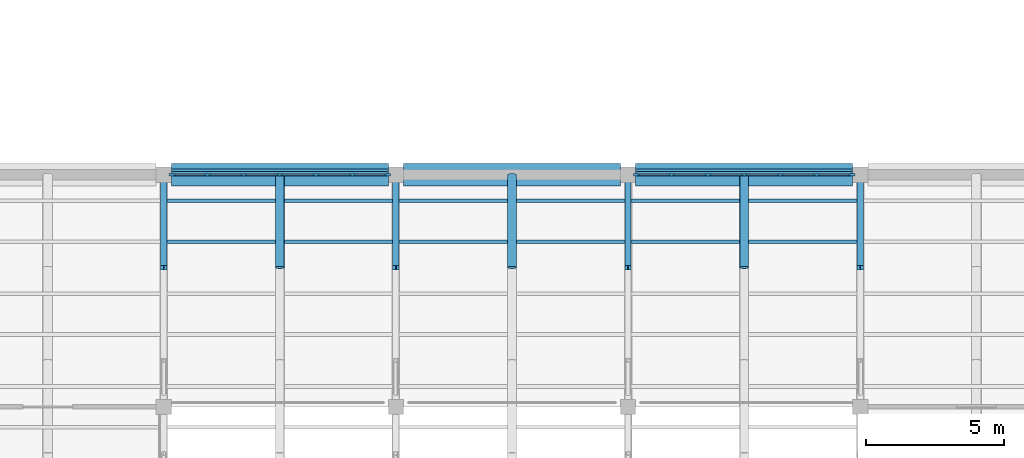
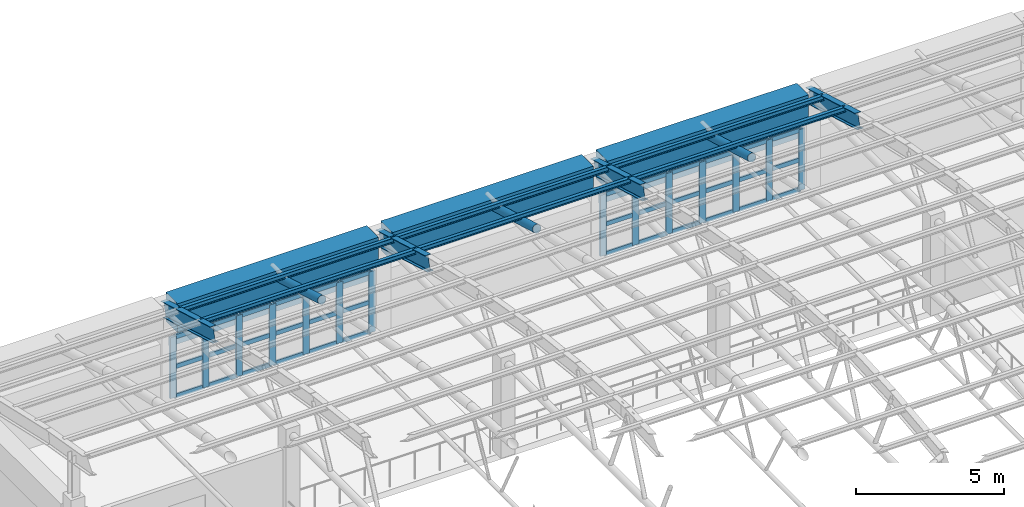
# One storey, part 34 of 74: 61 members, 7 beams, 2 elements without a shape of their own.
"""IFC4 building model written with IfcOpenShell, lengths in metres."""

from ifc_helpers import new_model, si_unit, direction, frame, origin, origin_2d, place, context, subcontext, project, spatial, rectangle, hollow_circle, i_section, extrude, material, layer, layer_set, material_profile, profile_set, type_object, element, aggregate, save


model = new_model("IFC4")

# Units and contexts
model_context = context("Model", 3, precision=1e-05, world=origin(), true_north=direction((0.0, 1.0)))
body_context = subcontext(model_context, "Body", "Model", "MODEL_VIEW")
ifc_project = project(units=[si_unit("LENGTHUNIT", "METRE"), si_unit("AREAUNIT", "SQUARE_METRE"), si_unit("VOLUMEUNIT", "CUBIC_METRE"), si_unit("PLANEANGLEUNIT", "RADIAN"), si_unit("MASSUNIT", "GRAM", prefix="KILO")], contexts=[model_context])

# Site, building, storey
site_placement = place(None, origin())
site = spatial("IfcSite", under=ifc_project, at=site_placement, CompositionType="ELEMENT")
building_placement = place(site_placement, origin())
building = spatial("IfcBuilding", under=site, at=building_placement, Name="Porcellanite Civic Hall", CompositionType="ELEMENT")
storey_placement = place(building_placement, frame((0.0, 0.0, 14.760009765625)))
storey = spatial("IfcBuildingStorey", under=building, at=storey_placement, Name="L03", CompositionType="ELEMENT", Elevation=14.760009765625)

# Members
ifc_material_1 = material(Name="Steel C350L0", Category="steel")
ifc_material_profile_1 = material_profile(ifc_material_1, hollow_circle(Radius=0.161865234375, WallThickness=0.010009765625, at=origin_2d()), Name="323.9x10.0CHS")
ifc_profile_set_1 = profile_set([ifc_material_profile_1], Name="Steel C350L0")
member_type_1 = type_object("IfcMemberType", Name="ARCH-324CHS", PredefinedType="RAFTER", material=ifc_profile_set_1)
for number, where, z_axis, x_axis, name in (
    (1, (79.800048828125, 72.239990234375, 4.705078125), (0.0, 0.961252012167, -0.275671124902), (-1.0, 0.0, 0.0), "Chamber secondary arch segment 9 10"),
    (2, (88.199951171875, 72.239990234375, 4.705078125), (0.0, 0.961252012167, -0.275671124902), (-1.0, 0.0, 0.0), "Chamber secondary arch segment 10 10"),
    (3, (96.60009765625, 72.239990234375, 4.705078125), (0.0, 0.961252012167, -0.275671124902), (-1.0, 0.0, 0.0), "Chamber secondary arch segment 11 10"),
):
    element("IfcMember", number, at=place(storey_placement, frame(where, z_axis=z_axis, x_axis=x_axis)), inside=storey, type_object=member_type_1, Name=name, PredefinedType="RAFTER", context=body_context, shape_type="SweptSolid", body=[
        extrude(hollow_circle(Radius=0.161865234375, WallThickness=0.010009765625, at=origin_2d()), origin(), (0.0, 0.0, 1.0), 3.49560546875),
    ])

# Curtain wall, members
ifc_material_2 = material(Name="Anodised aluminium and solar laminated glass", Category="aluminium")
ifc_layer = layer(ifc_material_2, 0.179931640625)
ifc_layer_set = layer_set([ifc_layer], Name="Anodised aluminium and solar laminated glass")
curtain_wall_type = type_object("IfcCurtainWallType", Name="CW-SYS01", PredefinedType="NOTDEFINED", material=ifc_layer_set)
curtain_wall_1_placement = place(storey_placement, origin())
curtain_wall_1 = element("IfcCurtainWall", 4, at=curtain_wall_1_placement, inside=storey, type_object=curtain_wall_type, Name="Curtain wall CW-208", PredefinedType="NOTDEFINED")
ifc_material_3 = material(Name="Anodised aluminium 6063-T6", Category="aluminium")
ifc_material_profile_2 = material_profile(ifc_material_3, rectangle(XDim=0.080078125, YDim=0.239990234375, at=origin_2d()), Name="AL-80x240")
ifc_profile_set_2 = profile_set([ifc_material_profile_2], Name="Anodised aluminium 6063-T6")
member_type_2 = type_object("IfcMemberType", Name="CWM-01", PredefinedType="MULLION", material=ifc_profile_set_2)
member_1_placement = place(storey_placement, frame((75.916015625, 75.60009765625, 0.0), z_axis=(0.0, 0.0, 1.0), x_axis=(0.0, 1.0, 0.0)))
member_1 = element("IfcMember", 5, at=member_1_placement, type_object=member_type_2, Name="CW-208 mullion 1", PredefinedType="MULLION", context=body_context, shape_type="SweptSolid", body=[
    extrude(rectangle(XDim=0.080078125, YDim=0.239990234375, at=origin_2d()), origin(), (0.0, 0.0, 1.0), 2.52001953125),
])
member_2_placement = place(storey_placement, frame((77.18408203125, 75.60009765625, 0.0), z_axis=(0.0, 0.0, 1.0), x_axis=(0.0, 1.0, 0.0)))
member_2 = element("IfcMember", 6, at=member_2_placement, type_object=member_type_2, Name="CW-208 mullion 2", PredefinedType="MULLION", context=body_context, shape_type="SweptSolid", body=[
    extrude(rectangle(XDim=0.080078125, YDim=0.239990234375, at=origin_2d()), origin(), (0.0, 0.0, 1.0), 2.52001953125),
])
member_3_placement = place(storey_placement, frame((78.491943359375, 75.60009765625, 0.0), z_axis=(0.0, 0.0, 1.0), x_axis=(0.0, 1.0, 0.0)))
member_3 = element("IfcMember", 7, at=member_3_placement, type_object=member_type_2, Name="CW-208 mullion 3", PredefinedType="MULLION", context=body_context, shape_type="SweptSolid", body=[
    extrude(rectangle(XDim=0.080078125, YDim=0.239990234375, at=origin_2d()), origin(), (0.0, 0.0, 1.0), 2.52001953125),
])
member_4_placement = place(storey_placement, frame((79.800048828125, 75.60009765625, 0.0), z_axis=(0.0, 0.0, 1.0), x_axis=(0.0, 1.0, 0.0)))
member_4 = element("IfcMember", 8, at=member_4_placement, type_object=member_type_2, Name="CW-208 mullion 4", PredefinedType="MULLION", context=body_context, shape_type="SweptSolid", body=[
    extrude(rectangle(XDim=0.080078125, YDim=0.239990234375, at=origin_2d()), origin(), (0.0, 0.0, 1.0), 2.52001953125),
])
member_5_placement = place(storey_placement, frame((81.10791015625, 75.60009765625, 0.0), z_axis=(0.0, 0.0, 1.0), x_axis=(0.0, 1.0, 0.0)))
member_5 = element("IfcMember", 9, at=member_5_placement, type_object=member_type_2, Name="CW-208 mullion 5", PredefinedType="MULLION", context=body_context, shape_type="SweptSolid", body=[
    extrude(rectangle(XDim=0.080078125, YDim=0.239990234375, at=origin_2d()), origin(), (0.0, 0.0, 1.0), 2.52001953125),
])
member_6_placement = place(storey_placement, frame((82.416015625, 75.60009765625, 0.0), z_axis=(0.0, 0.0, 1.0), x_axis=(0.0, 1.0, 0.0)))
member_6 = element("IfcMember", 10, at=member_6_placement, type_object=member_type_2, Name="CW-208 mullion 6", PredefinedType="MULLION", context=body_context, shape_type="SweptSolid", body=[
    extrude(rectangle(XDim=0.080078125, YDim=0.239990234375, at=origin_2d()), origin(), (0.0, 0.0, 1.0), 2.52001953125),
])
member_7_placement = place(storey_placement, frame((83.68408203125, 75.60009765625, 0.0), z_axis=(0.0, 0.0, 1.0), x_axis=(0.0, 1.0, 0.0)))
member_7 = element("IfcMember", 11, at=member_7_placement, type_object=member_type_2, Name="CW-208 mullion 7", PredefinedType="MULLION", context=body_context, shape_type="SweptSolid", body=[
    extrude(rectangle(XDim=0.080078125, YDim=0.239990234375, at=origin_2d()), origin(), (0.0, 0.0, 1.0), 2.52001953125),
])

curtain_wall_2_placement = place(storey_placement, origin())
curtain_wall_2 = element("IfcCurtainWall", 12, at=curtain_wall_2_placement, inside=storey, type_object=curtain_wall_type, Name="Curtain wall CW-211", PredefinedType="NOTDEFINED")
member_8_placement = place(storey_placement, frame((92.716064453125, 75.60009765625, 0.0), z_axis=(0.0, 0.0, 1.0), x_axis=(0.0, 1.0, 0.0)))
member_8 = element("IfcMember", 13, at=member_8_placement, type_object=member_type_2, Name="CW-211 mullion 1", PredefinedType="MULLION", context=body_context, shape_type="SweptSolid", body=[
    extrude(rectangle(XDim=0.080078125, YDim=0.239990234375, at=origin_2d()), origin(), (0.0, 0.0, 1.0), 2.52001953125),
])
member_9_placement = place(storey_placement, frame((93.98388671875, 75.60009765625, 0.0), z_axis=(0.0, 0.0, 1.0), x_axis=(0.0, 1.0, 0.0)))
member_9 = element("IfcMember", 14, at=member_9_placement, type_object=member_type_2, Name="CW-211 mullion 2", PredefinedType="MULLION", context=body_context, shape_type="SweptSolid", body=[
    extrude(rectangle(XDim=0.080078125, YDim=0.239990234375, at=origin_2d()), origin(), (0.0, 0.0, 1.0), 2.52001953125),
])
member_10_placement = place(storey_placement, frame((95.2919921875, 75.60009765625, 0.0), z_axis=(0.0, 0.0, 1.0), x_axis=(0.0, 1.0, 0.0)))
member_10 = element("IfcMember", 15, at=member_10_placement, type_object=member_type_2, Name="CW-211 mullion 3", PredefinedType="MULLION", context=body_context, shape_type="SweptSolid", body=[
    extrude(rectangle(XDim=0.080078125, YDim=0.239990234375, at=origin_2d()), origin(), (0.0, 0.0, 1.0), 2.52001953125),
])
member_11_placement = place(storey_placement, frame((96.60009765625, 75.60009765625, 0.0), z_axis=(0.0, 0.0, 1.0), x_axis=(0.0, 1.0, 0.0)))
member_11 = element("IfcMember", 16, at=member_11_placement, type_object=member_type_2, Name="CW-211 mullion 4", PredefinedType="MULLION", context=body_context, shape_type="SweptSolid", body=[
    extrude(rectangle(XDim=0.080078125, YDim=0.239990234375, at=origin_2d()), origin(), (0.0, 0.0, 1.0), 2.52001953125),
])
member_12_placement = place(storey_placement, frame((97.907958984375, 75.60009765625, 0.0), z_axis=(0.0, 0.0, 1.0), x_axis=(0.0, 1.0, 0.0)))
member_12 = element("IfcMember", 17, at=member_12_placement, type_object=member_type_2, Name="CW-211 mullion 5", PredefinedType="MULLION", context=body_context, shape_type="SweptSolid", body=[
    extrude(rectangle(XDim=0.080078125, YDim=0.239990234375, at=origin_2d()), origin(), (0.0, 0.0, 1.0), 2.52001953125),
])
member_13_placement = place(storey_placement, frame((99.216064453125, 75.60009765625, 0.0), z_axis=(0.0, 0.0, 1.0), x_axis=(0.0, 1.0, 0.0)))
member_13 = element("IfcMember", 18, at=member_13_placement, type_object=member_type_2, Name="CW-211 mullion 6", PredefinedType="MULLION", context=body_context, shape_type="SweptSolid", body=[
    extrude(rectangle(XDim=0.080078125, YDim=0.239990234375, at=origin_2d()), origin(), (0.0, 0.0, 1.0), 2.52001953125),
])
member_14_placement = place(storey_placement, frame((100.48388671875, 75.60009765625, 0.0), z_axis=(0.0, 0.0, 1.0), x_axis=(0.0, 1.0, 0.0)))
member_14 = element("IfcMember", 19, at=member_14_placement, type_object=member_type_2, Name="CW-211 mullion 7", PredefinedType="MULLION", context=body_context, shape_type="SweptSolid", body=[
    extrude(rectangle(XDim=0.080078125, YDim=0.239990234375, at=origin_2d()), origin(), (0.0, 0.0, 1.0), 2.52001953125),
])

# Member
ifc_material_4 = material(Name="Anodised aluminium 6063-T6", Category="aluminium")
ifc_material_profile_3 = material_profile(ifc_material_4, rectangle(XDim=0.070068359375, YDim=0.175048828125, at=origin_2d()), Name="AL-70x175")
ifc_profile_set_3 = profile_set([ifc_material_profile_3], Name="Anodised aluminium 6063-T6")
member_type_3 = type_object("IfcMemberType", Name="CWT-01", PredefinedType="USERDEFINED", material=ifc_profile_set_3)
member_15_placement = place(storey_placement, frame((75.9560546875, 75.60009765625, 0.034912109375), z_axis=(1.0, 0.0, 0.0), x_axis=(0.0, 1.0, 0.0)))
member_15 = element("IfcMember", 20, at=member_15_placement, type_object=member_type_3, Name="CW-208 transom 1.1", ObjectType="TRANSOM", PredefinedType="USERDEFINED", context=body_context, shape_type="SweptSolid", body=[
    extrude(rectangle(XDim=0.070068359375, YDim=0.175048828125, at=origin_2d()), origin(), (0.0, 0.0, 1.0), 1.18798828125),
])

member_16_placement = place(storey_placement, frame((75.9560546875, 75.60009765625, 1.260009765625), z_axis=(1.0, 0.0, 0.0), x_axis=(0.0, 1.0, 0.0)))
member_16 = element("IfcMember", 21, at=member_16_placement, type_object=member_type_3, Name="CW-208 transom 1.2", ObjectType="TRANSOM", PredefinedType="USERDEFINED", context=body_context, shape_type="SweptSolid", body=[
    extrude(rectangle(XDim=0.070068359375, YDim=0.175048828125, at=origin_2d()), origin(), (0.0, 0.0, 1.0), 1.18798828125),
])

member_17_placement = place(storey_placement, frame((75.9560546875, 75.60009765625, 2.485107421875), z_axis=(1.0, 0.0, 0.0), x_axis=(0.0, 1.0, 0.0)))
member_17 = element("IfcMember", 22, at=member_17_placement, type_object=member_type_3, Name="CW-208 transom 1.3", ObjectType="TRANSOM", PredefinedType="USERDEFINED", context=body_context, shape_type="SweptSolid", body=[
    extrude(rectangle(XDim=0.070068359375, YDim=0.175048828125, at=origin_2d()), origin(), (0.0, 0.0, 1.0), 1.18798828125),
])

member_18_placement = place(storey_placement, frame((77.22412109375, 75.60009765625, 0.034912109375), z_axis=(1.0, 0.0, 0.0), x_axis=(0.0, 1.0, 0.0)))
member_18 = element("IfcMember", 23, at=member_18_placement, type_object=member_type_3, Name="CW-208 transom 2.1", ObjectType="TRANSOM", PredefinedType="USERDEFINED", context=body_context, shape_type="SweptSolid", body=[
    extrude(rectangle(XDim=0.070068359375, YDim=0.175048828125, at=origin_2d()), origin(), (0.0, 0.0, 1.0), 1.227783203125),
])

member_19_placement = place(storey_placement, frame((77.22412109375, 75.60009765625, 1.260009765625), z_axis=(1.0, 0.0, 0.0), x_axis=(0.0, 1.0, 0.0)))
member_19 = element("IfcMember", 24, at=member_19_placement, type_object=member_type_3, Name="CW-208 transom 2.2", ObjectType="TRANSOM", PredefinedType="USERDEFINED", context=body_context, shape_type="SweptSolid", body=[
    extrude(rectangle(XDim=0.070068359375, YDim=0.175048828125, at=origin_2d()), origin(), (0.0, 0.0, 1.0), 1.227783203125),
])

member_20_placement = place(storey_placement, frame((77.22412109375, 75.60009765625, 2.485107421875), z_axis=(1.0, 0.0, 0.0), x_axis=(0.0, 1.0, 0.0)))
member_20 = element("IfcMember", 25, at=member_20_placement, type_object=member_type_3, Name="CW-208 transom 2.3", ObjectType="TRANSOM", PredefinedType="USERDEFINED", context=body_context, shape_type="SweptSolid", body=[
    extrude(rectangle(XDim=0.070068359375, YDim=0.175048828125, at=origin_2d()), origin(), (0.0, 0.0, 1.0), 1.227783203125),
])

member_21_placement = place(storey_placement, frame((78.531982421875, 75.60009765625, 0.034912109375), z_axis=(1.0, 0.0, 0.0), x_axis=(0.0, 1.0, 0.0)))
member_21 = element("IfcMember", 26, at=member_21_placement, type_object=member_type_3, Name="CW-208 transom 3.1", ObjectType="TRANSOM", PredefinedType="USERDEFINED", context=body_context, shape_type="SweptSolid", body=[
    extrude(rectangle(XDim=0.070068359375, YDim=0.175048828125, at=origin_2d()), origin(), (0.0, 0.0, 1.0), 1.22802734375),
])

member_22_placement = place(storey_placement, frame((78.531982421875, 75.60009765625, 1.260009765625), z_axis=(1.0, 0.0, 0.0), x_axis=(0.0, 1.0, 0.0)))
member_22 = element("IfcMember", 27, at=member_22_placement, type_object=member_type_3, Name="CW-208 transom 3.2", ObjectType="TRANSOM", PredefinedType="USERDEFINED", context=body_context, shape_type="SweptSolid", body=[
    extrude(rectangle(XDim=0.070068359375, YDim=0.175048828125, at=origin_2d()), origin(), (0.0, 0.0, 1.0), 1.22802734375),
])

member_23_placement = place(storey_placement, frame((78.531982421875, 75.60009765625, 2.485107421875), z_axis=(1.0, 0.0, 0.0), x_axis=(0.0, 1.0, 0.0)))
member_23 = element("IfcMember", 28, at=member_23_placement, type_object=member_type_3, Name="CW-208 transom 3.3", ObjectType="TRANSOM", PredefinedType="USERDEFINED", context=body_context, shape_type="SweptSolid", body=[
    extrude(rectangle(XDim=0.070068359375, YDim=0.175048828125, at=origin_2d()), origin(), (0.0, 0.0, 1.0), 1.22802734375),
])

member_24_placement = place(storey_placement, frame((79.840087890625, 75.60009765625, 0.034912109375), z_axis=(1.0, 0.0, 0.0), x_axis=(0.0, 1.0, 0.0)))
member_24 = element("IfcMember", 29, at=member_24_placement, type_object=member_type_3, Name="CW-208 transom 4.1", ObjectType="TRANSOM", PredefinedType="USERDEFINED", context=body_context, shape_type="SweptSolid", body=[
    extrude(rectangle(XDim=0.070068359375, YDim=0.175048828125, at=origin_2d()), origin(), (0.0, 0.0, 1.0), 1.22802734375),
])

member_25_placement = place(storey_placement, frame((79.840087890625, 75.60009765625, 1.260009765625), z_axis=(1.0, 0.0, 0.0), x_axis=(0.0, 1.0, 0.0)))
member_25 = element("IfcMember", 30, at=member_25_placement, type_object=member_type_3, Name="CW-208 transom 4.2", ObjectType="TRANSOM", PredefinedType="USERDEFINED", context=body_context, shape_type="SweptSolid", body=[
    extrude(rectangle(XDim=0.070068359375, YDim=0.175048828125, at=origin_2d()), origin(), (0.0, 0.0, 1.0), 1.22802734375),
])

member_26_placement = place(storey_placement, frame((79.840087890625, 75.60009765625, 2.485107421875), z_axis=(1.0, 0.0, 0.0), x_axis=(0.0, 1.0, 0.0)))
member_26 = element("IfcMember", 31, at=member_26_placement, type_object=member_type_3, Name="CW-208 transom 4.3", ObjectType="TRANSOM", PredefinedType="USERDEFINED", context=body_context, shape_type="SweptSolid", body=[
    extrude(rectangle(XDim=0.070068359375, YDim=0.175048828125, at=origin_2d()), origin(), (0.0, 0.0, 1.0), 1.22802734375),
])

member_27_placement = place(storey_placement, frame((81.14794921875, 75.60009765625, 0.034912109375), z_axis=(1.0, 0.0, 0.0), x_axis=(0.0, 1.0, 0.0)))
member_27 = element("IfcMember", 32, at=member_27_placement, type_object=member_type_3, Name="CW-208 transom 5.1", ObjectType="TRANSOM", PredefinedType="USERDEFINED", context=body_context, shape_type="SweptSolid", body=[
    extrude(rectangle(XDim=0.070068359375, YDim=0.175048828125, at=origin_2d()), origin(), (0.0, 0.0, 1.0), 1.22802734375),
])

member_28_placement = place(storey_placement, frame((81.14794921875, 75.60009765625, 1.260009765625), z_axis=(1.0, 0.0, 0.0), x_axis=(0.0, 1.0, 0.0)))
member_28 = element("IfcMember", 33, at=member_28_placement, type_object=member_type_3, Name="CW-208 transom 5.2", ObjectType="TRANSOM", PredefinedType="USERDEFINED", context=body_context, shape_type="SweptSolid", body=[
    extrude(rectangle(XDim=0.070068359375, YDim=0.175048828125, at=origin_2d()), origin(), (0.0, 0.0, 1.0), 1.22802734375),
])

member_29_placement = place(storey_placement, frame((81.14794921875, 75.60009765625, 2.485107421875), z_axis=(1.0, 0.0, 0.0), x_axis=(0.0, 1.0, 0.0)))
member_29 = element("IfcMember", 34, at=member_29_placement, type_object=member_type_3, Name="CW-208 transom 5.3", ObjectType="TRANSOM", PredefinedType="USERDEFINED", context=body_context, shape_type="SweptSolid", body=[
    extrude(rectangle(XDim=0.070068359375, YDim=0.175048828125, at=origin_2d()), origin(), (0.0, 0.0, 1.0), 1.22802734375),
])

member_30_placement = place(storey_placement, frame((82.4560546875, 75.60009765625, 0.034912109375), z_axis=(1.0, 0.0, 0.0), x_axis=(0.0, 1.0, 0.0)))
member_30 = element("IfcMember", 35, at=member_30_placement, type_object=member_type_3, Name="CW-208 transom 6.1", ObjectType="TRANSOM", PredefinedType="USERDEFINED", context=body_context, shape_type="SweptSolid", body=[
    extrude(rectangle(XDim=0.070068359375, YDim=0.175048828125, at=origin_2d()), origin(), (0.0, 0.0, 1.0), 1.18798828125),
])

member_31_placement = place(storey_placement, frame((82.4560546875, 75.60009765625, 1.260009765625), z_axis=(1.0, 0.0, 0.0), x_axis=(0.0, 1.0, 0.0)))
member_31 = element("IfcMember", 36, at=member_31_placement, type_object=member_type_3, Name="CW-208 transom 6.2", ObjectType="TRANSOM", PredefinedType="USERDEFINED", context=body_context, shape_type="SweptSolid", body=[
    extrude(rectangle(XDim=0.070068359375, YDim=0.175048828125, at=origin_2d()), origin(), (0.0, 0.0, 1.0), 1.18798828125),
])

member_32_placement = place(storey_placement, frame((82.4560546875, 75.60009765625, 2.485107421875), z_axis=(1.0, 0.0, 0.0), x_axis=(0.0, 1.0, 0.0)))
member_32 = element("IfcMember", 37, at=member_32_placement, type_object=member_type_3, Name="CW-208 transom 6.3", ObjectType="TRANSOM", PredefinedType="USERDEFINED", context=body_context, shape_type="SweptSolid", body=[
    extrude(rectangle(XDim=0.070068359375, YDim=0.175048828125, at=origin_2d()), origin(), (0.0, 0.0, 1.0), 1.18798828125),
])

aggregate(curtain_wall_1, [member_1, member_2, member_3, member_4, member_5, member_6, member_7, member_15, member_16, member_17, member_18, member_19, member_20, member_21, member_22, member_23, member_24, member_25, member_26, member_27, member_28, member_29, member_30, member_31, member_32])

member_33_placement = place(storey_placement, frame((92.756103515625, 75.60009765625, 0.034912109375), z_axis=(1.0, 0.0, 0.0), x_axis=(0.0, 1.0, 0.0)))
member_33 = element("IfcMember", 38, at=member_33_placement, type_object=member_type_3, Name="CW-211 transom 1.1", ObjectType="TRANSOM", PredefinedType="USERDEFINED", context=body_context, shape_type="SweptSolid", body=[
    extrude(rectangle(XDim=0.070068359375, YDim=0.175048828125, at=origin_2d()), origin(), (0.0, 0.0, 1.0), 1.18798828125),
])

member_34_placement = place(storey_placement, frame((92.756103515625, 75.60009765625, 1.260009765625), z_axis=(1.0, 0.0, 0.0), x_axis=(0.0, 1.0, 0.0)))
member_34 = element("IfcMember", 39, at=member_34_placement, type_object=member_type_3, Name="CW-211 transom 1.2", ObjectType="TRANSOM", PredefinedType="USERDEFINED", context=body_context, shape_type="SweptSolid", body=[
    extrude(rectangle(XDim=0.070068359375, YDim=0.175048828125, at=origin_2d()), origin(), (0.0, 0.0, 1.0), 1.18798828125),
])

member_35_placement = place(storey_placement, frame((92.756103515625, 75.60009765625, 2.485107421875), z_axis=(1.0, 0.0, 0.0), x_axis=(0.0, 1.0, 0.0)))
member_35 = element("IfcMember", 40, at=member_35_placement, type_object=member_type_3, Name="CW-211 transom 1.3", ObjectType="TRANSOM", PredefinedType="USERDEFINED", context=body_context, shape_type="SweptSolid", body=[
    extrude(rectangle(XDim=0.070068359375, YDim=0.175048828125, at=origin_2d()), origin(), (0.0, 0.0, 1.0), 1.18798828125),
])

member_36_placement = place(storey_placement, frame((94.02392578125, 75.60009765625, 0.034912109375), z_axis=(1.0, 0.0, 0.0), x_axis=(0.0, 1.0, 0.0)))
member_36 = element("IfcMember", 41, at=member_36_placement, type_object=member_type_3, Name="CW-211 transom 2.1", ObjectType="TRANSOM", PredefinedType="USERDEFINED", context=body_context, shape_type="SweptSolid", body=[
    extrude(rectangle(XDim=0.070068359375, YDim=0.175048828125, at=origin_2d()), origin(), (0.0, 0.0, 1.0), 1.22802734375),
])

member_37_placement = place(storey_placement, frame((94.02392578125, 75.60009765625, 1.260009765625), z_axis=(1.0, 0.0, 0.0), x_axis=(0.0, 1.0, 0.0)))
member_37 = element("IfcMember", 42, at=member_37_placement, type_object=member_type_3, Name="CW-211 transom 2.2", ObjectType="TRANSOM", PredefinedType="USERDEFINED", context=body_context, shape_type="SweptSolid", body=[
    extrude(rectangle(XDim=0.070068359375, YDim=0.175048828125, at=origin_2d()), origin(), (0.0, 0.0, 1.0), 1.22802734375),
])

member_38_placement = place(storey_placement, frame((94.02392578125, 75.60009765625, 2.485107421875), z_axis=(1.0, 0.0, 0.0), x_axis=(0.0, 1.0, 0.0)))
member_38 = element("IfcMember", 43, at=member_38_placement, type_object=member_type_3, Name="CW-211 transom 2.3", ObjectType="TRANSOM", PredefinedType="USERDEFINED", context=body_context, shape_type="SweptSolid", body=[
    extrude(rectangle(XDim=0.070068359375, YDim=0.175048828125, at=origin_2d()), origin(), (0.0, 0.0, 1.0), 1.22802734375),
])

member_39_placement = place(storey_placement, frame((95.33203125, 75.60009765625, 0.034912109375), z_axis=(1.0, 0.0, 0.0), x_axis=(0.0, 1.0, 0.0)))
member_39 = element("IfcMember", 44, at=member_39_placement, type_object=member_type_3, Name="CW-211 transom 3.1", ObjectType="TRANSOM", PredefinedType="USERDEFINED", context=body_context, shape_type="SweptSolid", body=[
    extrude(rectangle(XDim=0.070068359375, YDim=0.175048828125, at=origin_2d()), origin(), (0.0, 0.0, 1.0), 1.22802734375),
])

member_40_placement = place(storey_placement, frame((95.33203125, 75.60009765625, 1.260009765625), z_axis=(1.0, 0.0, 0.0), x_axis=(0.0, 1.0, 0.0)))
member_40 = element("IfcMember", 45, at=member_40_placement, type_object=member_type_3, Name="CW-211 transom 3.2", ObjectType="TRANSOM", PredefinedType="USERDEFINED", context=body_context, shape_type="SweptSolid", body=[
    extrude(rectangle(XDim=0.070068359375, YDim=0.175048828125, at=origin_2d()), origin(), (0.0, 0.0, 1.0), 1.22802734375),
])

member_41_placement = place(storey_placement, frame((95.33203125, 75.60009765625, 2.485107421875), z_axis=(1.0, 0.0, 0.0), x_axis=(0.0, 1.0, 0.0)))
member_41 = element("IfcMember", 46, at=member_41_placement, type_object=member_type_3, Name="CW-211 transom 3.3", ObjectType="TRANSOM", PredefinedType="USERDEFINED", context=body_context, shape_type="SweptSolid", body=[
    extrude(rectangle(XDim=0.070068359375, YDim=0.175048828125, at=origin_2d()), origin(), (0.0, 0.0, 1.0), 1.22802734375),
])

member_42_placement = place(storey_placement, frame((96.639892578125, 75.60009765625, 0.034912109375), z_axis=(1.0, 0.0, 0.0), x_axis=(0.0, 1.0, 0.0)))
member_42 = element("IfcMember", 47, at=member_42_placement, type_object=member_type_3, Name="CW-211 transom 4.1", ObjectType="TRANSOM", PredefinedType="USERDEFINED", context=body_context, shape_type="SweptSolid", body=[
    extrude(rectangle(XDim=0.070068359375, YDim=0.175048828125, at=origin_2d()), origin(), (0.0, 0.0, 1.0), 1.22802734375),
])

member_43_placement = place(storey_placement, frame((96.639892578125, 75.60009765625, 1.260009765625), z_axis=(1.0, 0.0, 0.0), x_axis=(0.0, 1.0, 0.0)))
member_43 = element("IfcMember", 48, at=member_43_placement, type_object=member_type_3, Name="CW-211 transom 4.2", ObjectType="TRANSOM", PredefinedType="USERDEFINED", context=body_context, shape_type="SweptSolid", body=[
    extrude(rectangle(XDim=0.070068359375, YDim=0.175048828125, at=origin_2d()), origin(), (0.0, 0.0, 1.0), 1.22802734375),
])

member_44_placement = place(storey_placement, frame((96.639892578125, 75.60009765625, 2.485107421875), z_axis=(1.0, 0.0, 0.0), x_axis=(0.0, 1.0, 0.0)))
member_44 = element("IfcMember", 49, at=member_44_placement, type_object=member_type_3, Name="CW-211 transom 4.3", ObjectType="TRANSOM", PredefinedType="USERDEFINED", context=body_context, shape_type="SweptSolid", body=[
    extrude(rectangle(XDim=0.070068359375, YDim=0.175048828125, at=origin_2d()), origin(), (0.0, 0.0, 1.0), 1.22802734375),
])

member_45_placement = place(storey_placement, frame((97.947998046875, 75.60009765625, 0.034912109375), z_axis=(1.0, 0.0, 0.0), x_axis=(0.0, 1.0, 0.0)))
member_45 = element("IfcMember", 50, at=member_45_placement, type_object=member_type_3, Name="CW-211 transom 5.1", ObjectType="TRANSOM", PredefinedType="USERDEFINED", context=body_context, shape_type="SweptSolid", body=[
    extrude(rectangle(XDim=0.070068359375, YDim=0.175048828125, at=origin_2d()), origin(), (0.0, 0.0, 1.0), 1.22802734375),
])

member_46_placement = place(storey_placement, frame((97.947998046875, 75.60009765625, 1.260009765625), z_axis=(1.0, 0.0, 0.0), x_axis=(0.0, 1.0, 0.0)))
member_46 = element("IfcMember", 51, at=member_46_placement, type_object=member_type_3, Name="CW-211 transom 5.2", ObjectType="TRANSOM", PredefinedType="USERDEFINED", context=body_context, shape_type="SweptSolid", body=[
    extrude(rectangle(XDim=0.070068359375, YDim=0.175048828125, at=origin_2d()), origin(), (0.0, 0.0, 1.0), 1.22802734375),
])

member_47_placement = place(storey_placement, frame((97.947998046875, 75.60009765625, 2.485107421875), z_axis=(1.0, 0.0, 0.0), x_axis=(0.0, 1.0, 0.0)))
member_47 = element("IfcMember", 52, at=member_47_placement, type_object=member_type_3, Name="CW-211 transom 5.3", ObjectType="TRANSOM", PredefinedType="USERDEFINED", context=body_context, shape_type="SweptSolid", body=[
    extrude(rectangle(XDim=0.070068359375, YDim=0.175048828125, at=origin_2d()), origin(), (0.0, 0.0, 1.0), 1.22802734375),
])

member_48_placement = place(storey_placement, frame((99.256103515625, 75.60009765625, 0.034912109375), z_axis=(1.0, 0.0, 0.0), x_axis=(0.0, 1.0, 0.0)))
member_48 = element("IfcMember", 53, at=member_48_placement, type_object=member_type_3, Name="CW-211 transom 6.1", ObjectType="TRANSOM", PredefinedType="USERDEFINED", context=body_context, shape_type="SweptSolid", body=[
    extrude(rectangle(XDim=0.070068359375, YDim=0.175048828125, at=origin_2d()), origin(), (0.0, 0.0, 1.0), 1.18798828125),
])

member_49_placement = place(storey_placement, frame((99.256103515625, 75.60009765625, 1.260009765625), z_axis=(1.0, 0.0, 0.0), x_axis=(0.0, 1.0, 0.0)))
member_49 = element("IfcMember", 54, at=member_49_placement, type_object=member_type_3, Name="CW-211 transom 6.2", ObjectType="TRANSOM", PredefinedType="USERDEFINED", context=body_context, shape_type="SweptSolid", body=[
    extrude(rectangle(XDim=0.070068359375, YDim=0.175048828125, at=origin_2d()), origin(), (0.0, 0.0, 1.0), 1.18798828125),
])

member_50_placement = place(storey_placement, frame((99.256103515625, 75.60009765625, 2.485107421875), z_axis=(1.0, 0.0, 0.0), x_axis=(0.0, 1.0, 0.0)))
member_50 = element("IfcMember", 55, at=member_50_placement, type_object=member_type_3, Name="CW-211 transom 6.3", ObjectType="TRANSOM", PredefinedType="USERDEFINED", context=body_context, shape_type="SweptSolid", body=[
    extrude(rectangle(XDim=0.070068359375, YDim=0.175048828125, at=origin_2d()), origin(), (0.0, 0.0, 1.0), 1.18798828125),
])

aggregate(curtain_wall_2, [member_8, member_9, member_10, member_11, member_12, member_13, member_14, member_33, member_34, member_35, member_36, member_37, member_38, member_39, member_40, member_41, member_42, member_43, member_44, member_45, member_46, member_47, member_48, member_49, member_50])

# Beams
ifc_material_5 = material(Name="Concrete N50 (50 MPa)", Category="concrete")
ifc_material_profile_4 = material_profile(ifc_material_5, rectangle(XDim=0.800048828125, YDim=1.199951171875, at=origin_2d()), Name="RC-800x1200")
ifc_profile_set_4 = profile_set([ifc_material_profile_4], Name="Concrete N50 (50 MPa)")
beam_type_1 = type_object("IfcBeamType", Name="EB-CH1", PredefinedType="SPANDREL", material=ifc_profile_set_4)
for number, where, z_axis, x_axis, name in (
    (56, (75.87451171875, 75.60009765625, 3.524658203125), (1.0, 0.0, 0.0), (0.0, 1.0, 0.0), "Chamber visible shell edge beam N 9"),
    (57, (84.2744140625, 75.60009765625, 3.524658203125), (1.0, 0.0, 0.0), (0.0, 1.0, 0.0), "Chamber visible shell edge beam N 10"),
):
    element("IfcBeam", number, at=place(storey_placement, frame(where, z_axis=z_axis, x_axis=x_axis)), inside=storey, type_object=beam_type_1, Name=name, PredefinedType="SPANDREL", context=body_context, shape_type="SweptSolid", body=[
        extrude(rectangle(XDim=0.800048828125, YDim=1.199951171875, at=origin_2d()), origin(), (0.0, 0.0, 1.0), 7.85107421875),
    ])
beam_placement = place(storey_placement, frame((92.674560546875, 75.60009765625, 3.524658203125), z_axis=(1.0, 0.0, 0.0), x_axis=(0.0, 1.0, 0.0)))
element("IfcBeam", 58, at=beam_placement, inside=storey, type_object=beam_type_1, Name="Chamber visible shell edge beam N 11", PredefinedType="SPANDREL", context=body_context, shape_type="SweptSolid", body=[
    extrude(rectangle(XDim=0.800048828125, YDim=1.199951171875, at=origin_2d()), origin(), (0.0, 0.0, 1.0), 7.850830078125),
])

# Members
ifc_material_6 = material(Name="Fluoropolymer bauxite-red aluminium 6063-T6", Category="aluminium")
ifc_material_profile_5 = material_profile(ifc_material_6, rectangle(XDim=0.090087890625, YDim=0.360107421875, at=origin_2d()), Name="AL-90x360")
ifc_profile_set_5 = profile_set([ifc_material_profile_5], Name="Fluoropolymer bauxite-red aluminium 6063-T6")
member_type_4 = type_object("IfcMemberType", Name="LV-BLD01", PredefinedType="USERDEFINED", material=ifc_profile_set_5)
member_51_placement = place(storey_placement, frame((75.87451171875, 75.76708984375, 2.219970703125), z_axis=(1.0, 0.0, 0.0), x_axis=(0.0, 1.0, 0.0)))
element("IfcMember", 59, at=member_51_placement, inside=storey, type_object=member_type_4, Name="Cyclone sunshade louvre L03 N 9-8 1", ObjectType="LOUVRE BLADE", PredefinedType="USERDEFINED", context=body_context, shape_type="SweptSolid", body=[
    extrude(rectangle(XDim=0.090087890625, YDim=0.360107421875, at=origin_2d()), origin(), (0.0, 0.0, 1.0), 7.85107421875),
])
member_52_placement = place(storey_placement, frame((92.674560546875, 75.76708984375, 2.219970703125), z_axis=(1.0, 0.0, 0.0), x_axis=(0.0, 1.0, 0.0)))
element("IfcMember", 60, at=member_52_placement, inside=storey, type_object=member_type_4, Name="Cyclone sunshade louvre L03 N 11-8 1", ObjectType="LOUVRE BLADE", PredefinedType="USERDEFINED", context=body_context, shape_type="SweptSolid", body=[
    extrude(rectangle(XDim=0.090087890625, YDim=0.360107421875, at=origin_2d()), origin(), (0.0, 0.0, 1.0), 7.850830078125),
])
ifc_material_7 = material(Name="Steel Grade 350", Category="steel")
ifc_material_profile_6 = material_profile(ifc_material_7, i_section(OverallWidth=0.133056640625, OverallDepth=0.202880859375, WebThickness=0.005859375, FlangeThickness=0.0078125, FilletRadius=0.0087890625, at=origin_2d()), Name="200UB25.4")
ifc_profile_set_6 = profile_set([ifc_material_profile_6], Name="Steel Grade 350")
member_type_5 = type_object("IfcMemberType", Name="PUR-200UB25", PredefinedType="PURLIN", material=ifc_profile_set_6)
for number, where, z_axis, x_axis, name in (
    (61, (75.6064453125, 73.180908203125, 4.69775390625), (1.0, 0.0, 0.0), (0.0, 1.0, 0.0), "Chamber shell purlin 9 10A"),
    (62, (75.6064453125, 74.6591796875, 4.273681640625), (1.0, 0.0, 0.0), (0.0, 1.0, 0.0), "Chamber shell purlin 9 10B"),
    (63, (84.006591796875, 73.180908203125, 4.69775390625), (1.0, 0.0, 0.0), (0.0, 1.0, 0.0), "Chamber shell purlin 10 10A"),
    (64, (84.006591796875, 74.6591796875, 4.273681640625), (1.0, 0.0, 0.0), (0.0, 1.0, 0.0), "Chamber shell purlin 10 10B"),
    (65, (92.406494140625, 73.180908203125, 4.69775390625), (1.0, 0.0, 0.0), (0.0, 1.0, 0.0), "Chamber shell purlin 11 10A"),
    (66, (92.406494140625, 74.6591796875, 4.273681640625), (1.0, 0.0, 0.0), (0.0, 1.0, 0.0), "Chamber shell purlin 11 10B"),
):
    element("IfcMember", number, at=place(storey_placement, frame(where, z_axis=z_axis, x_axis=x_axis)), inside=storey, type_object=member_type_5, Name=name, PredefinedType="PURLIN", context=body_context, shape_type="SweptSolid", body=[
        extrude(i_section(OverallWidth=0.133056640625, OverallDepth=0.202880859375, WebThickness=0.005859375, FlangeThickness=0.0078125, FilletRadius=0.0087890625, at=origin_2d()), origin(), (0.0, 0.0, 1.0), 8.386962890625),
    ])

# Beams
ifc_material_8 = material(Name="Steel Grade 350", Category="steel")
ifc_material_profile_7 = material_profile(ifc_material_8, i_section(OverallWidth=0.22900390625, OverallDepth=0.612060546875, WebThickness=0.011962890625, FlangeThickness=0.01953125, FilletRadius=0.013916015625, at=origin_2d()), Name="610UB125")
ifc_profile_set_7 = profile_set([ifc_material_profile_7], Name="Steel Grade 350")
beam_type_2 = type_object("IfcBeamType", Name="RIB-610UB125", PredefinedType="BEAM", material=ifc_profile_set_7)
for number, where, z_axis, x_axis, name in (
    (67, (75.60009765625, 72.239990234375, 4.75146484375), (0.0, 0.961252012167, -0.275671124902), (-1.0, 0.0, 0.0), "Chamber steel arch rib 9 seg 10"),
    (68, (84.0, 72.239990234375, 4.75146484375), (0.0, 0.961252012167, -0.275671124902), (-1.0, 0.0, 0.0), "Chamber steel arch rib 10 seg 10"),
    (69, (92.39990234375, 72.239990234375, 4.75146484375), (0.0, 0.961252012167, -0.275671124902), (-1.0, 0.0, 0.0), "Chamber steel arch rib 11 seg 10"),
    (70, (100.800048828125, 72.239990234375, 4.75146484375), (0.0, 0.961252012167, -0.275671124902), (-1.0, 0.0, 0.0), "Chamber steel arch rib 12 seg 10"),
):
    element("IfcBeam", number, at=place(storey_placement, frame(where, z_axis=z_axis, x_axis=x_axis)), inside=storey, type_object=beam_type_2, Name=name, PredefinedType="BEAM", context=body_context, shape_type="SweptSolid", body=[
        extrude(i_section(OverallWidth=0.22900390625, OverallDepth=0.612060546875, WebThickness=0.011962890625, FlangeThickness=0.01953125, FilletRadius=0.013916015625, at=origin_2d()), origin(), (0.0, 0.0, 1.0), 3.49560546875),
    ])

save(model, "model.ifc")
